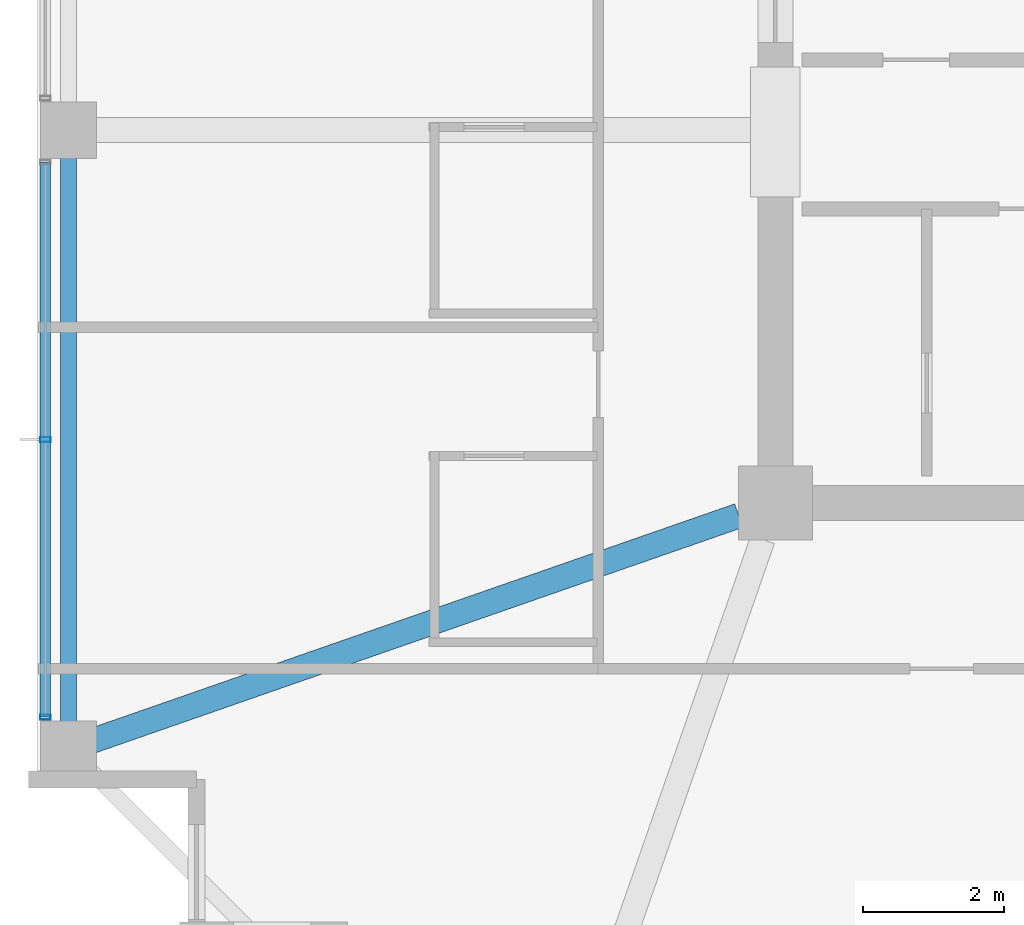
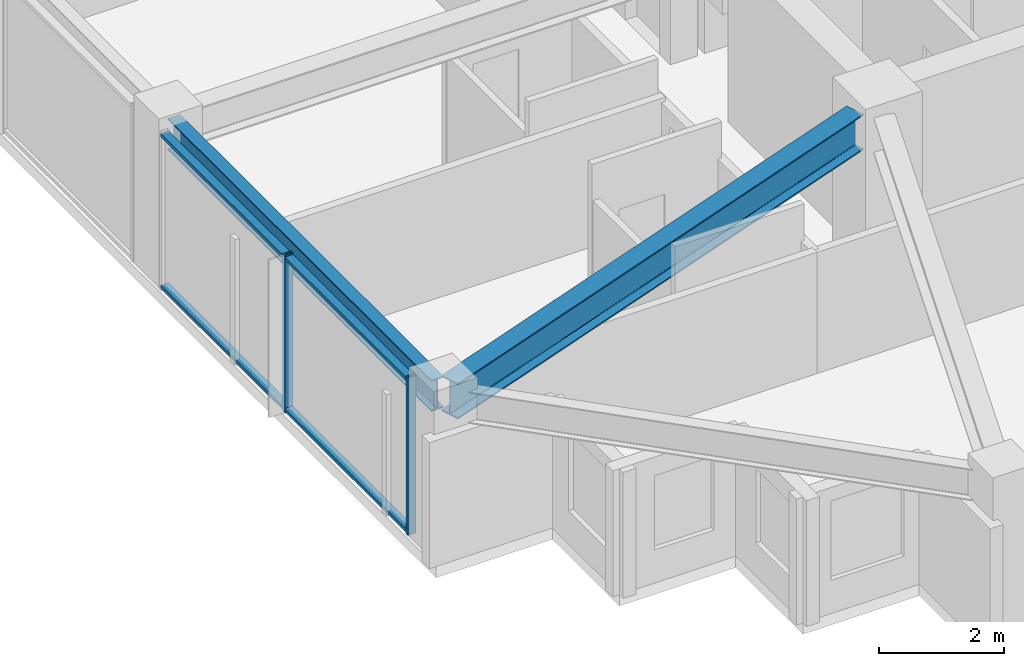
# One storey, part 4 of 36: 4 members, 2 beams, 1 element without a shape of its own.
"""IFC4 building model written with IfcOpenShell, lengths in metres."""

from ifc_helpers import new_model, si_unit, direction, frame, origin, origin_2d, place, context, subcontext, project, spatial, hollow_rectangle, i_section, extrude, material, material_profile, profile_set, type_object, element, aggregate, save


model = new_model("IFC4")

# Units and contexts
model_context = context("Model", 3, precision=1e-05, world=origin(), true_north=direction((0.0, 1.0)))
body_context = subcontext(model_context, "Body", "Model", "MODEL_VIEW")
ifc_project = project(units=[si_unit("LENGTHUNIT", "METRE"), si_unit("AREAUNIT", "SQUARE_METRE"), si_unit("VOLUMEUNIT", "CUBIC_METRE"), si_unit("PLANEANGLEUNIT", "RADIAN"), si_unit("MASSUNIT", "GRAM", prefix="KILO")], contexts=[model_context])

# Site, building, storey
site_placement = place(None, origin())
site = spatial("IfcSite", under=ifc_project, at=site_placement, CompositionType="ELEMENT")
building_placement = place(site_placement, origin())
building = spatial("IfcBuilding", under=site, at=building_placement, Name="Kolvaren Belvedere", CompositionType="ELEMENT")
storey_placement = place(building_placement, frame((0.0, 0.0, 196.5)))
storey = spatial("IfcBuildingStorey", under=building, at=storey_placement, Name="L57", CompositionType="ELEMENT", Elevation=196.5)

# Beams
ifc_material_1 = material(Name="Structural steel ASTM A992 Grade 50", Category="steel")
ifc_material_profile_1 = material_profile(ifc_material_1, i_section(OverallWidth=0.35498046875, OverallDepth=0.696044921875, WebThickness=0.015380859375, FlangeThickness=0.02490234375, FilletRadius=0.02197265625, at=origin_2d()), Name="W27X146")
ifc_profile_set_1 = profile_set([ifc_material_profile_1], Name="Structural steel ASTM A992 Grade 50")
beam_type_1 = type_object("IfcBeamType", Name="BM-GIRD-W27X146", PredefinedType="BEAM", material=ifc_profile_set_1)
beam_1_placement = place(storey_placement, frame((-10.41943359375, -10.080810546875, 2.73193359375), z_axis=(-0.944365399758, -0.328898147971, 0.0), x_axis=(0.328898147971, -0.944365399758, 0.0)))
element("IfcBeam", 1, at=beam_1_placement, inside=storey, type_object=beam_type_1, Name="L57 Corner Core-to-Perimeter Girder CC1-W1", PredefinedType="BEAM", context=body_context, shape_type="SweptSolid", body=[
    extrude(i_section(OverallWidth=0.35498046875, OverallDepth=0.696044921875, WebThickness=0.015380859375, FlangeThickness=0.02490234375, FilletRadius=0.02197265625, at=origin_2d()), origin(), (0.0, 0.0, 1.0), 9.931884765625),
])
ifc_material_2 = material(Name="Structural steel ASTM A992 Grade 50", Category="steel")
ifc_material_profile_2 = material_profile(ifc_material_2, i_section(OverallWidth=0.22900390625, OverallDepth=0.612060546875, WebThickness=0.011962890625, FlangeThickness=0.01953125, FilletRadius=0.01806640625, at=origin_2d()), Name="W24X84")
ifc_profile_set_2 = profile_set([ifc_material_profile_2], Name="Structural steel ASTM A992 Grade 50")
beam_type_2 = type_object("IfcBeamType", Name="BM-SPAN-W24X84", PredefinedType="SPANDREL", material=ifc_profile_set_2)
beam_2_placement = place(storey_placement, frame((-19.949951171875, -4.780029296875, 2.77392578125), z_axis=(0.0, -1.0, 0.0), x_axis=(1.0, 0.0, 0.0)))
element("IfcBeam", 2, at=beam_2_placement, inside=storey, type_object=beam_type_2, Name="L57 Perimeter Spandrel W2-W1", PredefinedType="SPANDREL", context=body_context, shape_type="SweptSolid", body=[
    extrude(i_section(OverallWidth=0.22900390625, OverallDepth=0.612060546875, WebThickness=0.011962890625, FlangeThickness=0.01953125, FilletRadius=0.01806640625, at=origin_2d()), origin(), (0.0, 0.0, 1.0), 8.43994140625),
])

# Curtain wall, members
ifc_material_3 = material(Name="Anodised pale-metal aluminium AA 6063-T6", Category="aluminium")
curtain_wall_type = type_object("IfcCurtainWallType", Name="CW-Z5-HIGH", PredefinedType="NOTDEFINED", material=ifc_material_3)
curtain_wall_placement = place(storey_placement, origin())
curtain_wall = element("IfcCurtainWall", 3, at=curtain_wall_placement, inside=storey, type_object=curtain_wall_type, Name="L57 Unitised Curtain Wall FCW-L57-W-B1", PredefinedType="NOTDEFINED")
ifc_material_4 = material(Name="Anodised pale-metal aluminium AA 6063-T6", Category="aluminium")
ifc_material_profile_3 = material_profile(ifc_material_4, hollow_rectangle(XDim=0.070068359375, YDim=0.14990234375, WallThickness=0.004150390625, at=origin_2d()), Name="ALU-MUL-150X70")
ifc_profile_set_3 = profile_set([ifc_material_profile_3], Name="Anodised pale-metal aluminium AA 6063-T6")
member_type_1 = type_object("IfcMemberType", Name="CW-MUL-150", PredefinedType="MULLION", material=ifc_profile_set_3)
member_1_placement = place(storey_placement, frame((-20.280029296875, -12.945068359375, 0.0), z_axis=(0.0, 0.0, 1.0), x_axis=(0.0, 1.0, 0.0)))
member_1 = element("IfcMember", 4, at=member_1_placement, type_object=member_type_1, Name="FCW-L57-W-B1 Unitised Mullion 1", PredefinedType="MULLION", context=body_context, shape_type="SweptSolid", body=[
    extrude(hollow_rectangle(XDim=0.070068359375, YDim=0.14990234375, WallThickness=0.004150390625, at=origin_2d()), origin(), (0.0, 0.0, 1.0), 3.080078125),
])
member_2_placement = place(storey_placement, frame((-20.280029296875, -9.0, 0.0), z_axis=(0.0, 0.0, 1.0), x_axis=(0.0, 1.0, 0.0)))
member_2 = element("IfcMember", 5, at=member_2_placement, type_object=member_type_1, Name="FCW-L57-W-B1 Unitised Mullion 2", PredefinedType="MULLION", context=body_context, shape_type="SweptSolid", body=[
    extrude(hollow_rectangle(XDim=0.070068359375, YDim=0.14990234375, WallThickness=0.004150390625, at=origin_2d()), origin(), (0.0, 0.0, 1.0), 3.080078125),
])
ifc_material_5 = material(Name="Anodised pale-metal aluminium AA 6063-T6", Category="aluminium")
ifc_material_profile_4 = material_profile(ifc_material_5, hollow_rectangle(XDim=0.06494140625, YDim=0.14990234375, WallThickness=0.00390625, at=origin_2d()), Name="ALU-TRN-150X65")
ifc_profile_set_4 = profile_set([ifc_material_profile_4], Name="Anodised pale-metal aluminium AA 6063-T6")
member_type_2 = type_object("IfcMemberType", Name="CW-TRN-150", PredefinedType="USERDEFINED", material=ifc_profile_set_4)
member_3_placement = place(storey_placement, frame((-20.280029296875, -12.945068359375, 0.06005859375), z_axis=(0.0, 1.0, 0.0), x_axis=(0.0, 0.0, 1.0)))
member_3 = element("IfcMember", 6, at=member_3_placement, type_object=member_type_2, Name="FCW-L57-W-B1 Sill Transom", ObjectType="TRANSOM", PredefinedType="USERDEFINED", context=body_context, shape_type="SweptSolid", body=[
    extrude(hollow_rectangle(XDim=0.06494140625, YDim=0.14990234375, WallThickness=0.00390625, at=origin_2d()), origin(), (0.0, 0.0, 1.0), 7.89013671875),
])
member_4_placement = place(storey_placement, frame((-20.280029296875, -12.945068359375, 3.02001953125), z_axis=(0.0, 1.0, 0.0), x_axis=(0.0, 0.0, 1.0)))
member_4 = element("IfcMember", 7, at=member_4_placement, type_object=member_type_2, Name="FCW-L57-W-B1 Head Transom", ObjectType="TRANSOM", PredefinedType="USERDEFINED", context=body_context, shape_type="SweptSolid", body=[
    extrude(hollow_rectangle(XDim=0.06494140625, YDim=0.14990234375, WallThickness=0.00390625, at=origin_2d()), origin(), (0.0, 0.0, 1.0), 7.89013671875),
])
aggregate(curtain_wall, [member_1, member_2, member_3, member_4])

save(model, "model.ifc")
